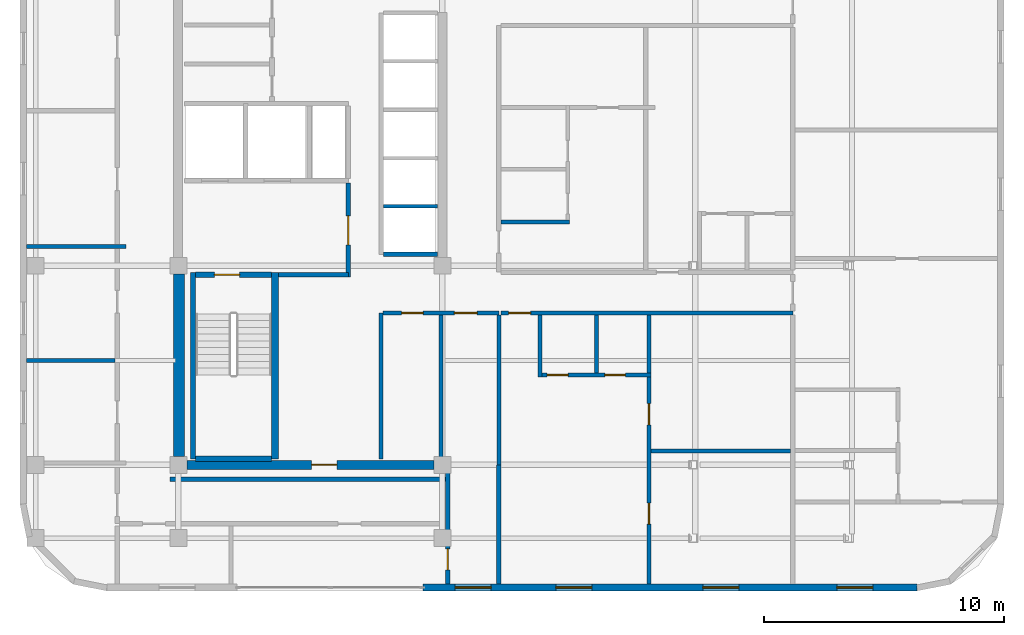
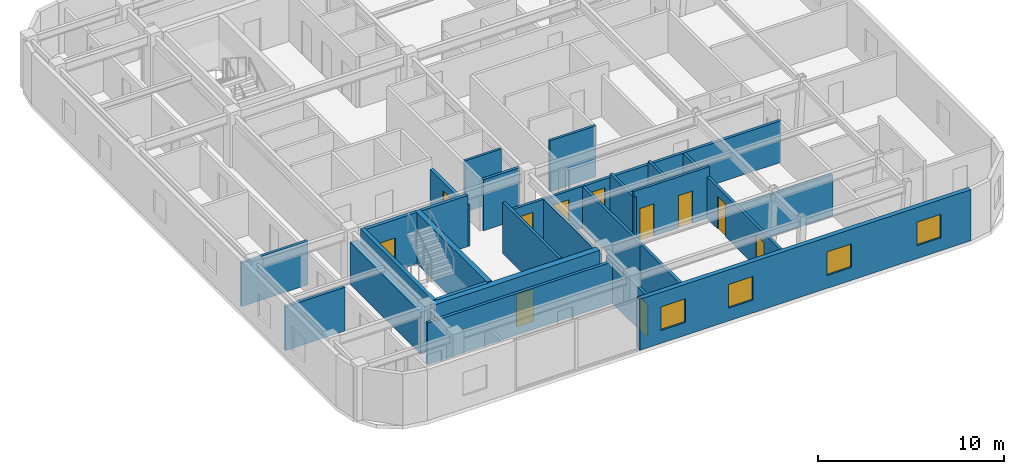
# One storey, part 4 of 9: 27 walls, 11 doors, 4 windows, 15 openings.
"""IFC4 building model written with IfcOpenShell, lengths in metres."""

from ifc_helpers import new_model, si_unit, direction, frame, frame_2d, origin, place, context, subcontext, project, spatial, rectangle, extrude, material, layer, layer_set, type_object, element, fill, save


model = new_model("IFC4")

# Units and contexts
model_context = context("Model", 3, precision=1e-05, world=origin(), true_north=direction((0.0, 1.0)))
body_context = subcontext(model_context, "Body", "Model", "MODEL_VIEW")
ifc_project = project(units=[si_unit("LENGTHUNIT", "METRE"), si_unit("AREAUNIT", "SQUARE_METRE"), si_unit("VOLUMEUNIT", "CUBIC_METRE"), si_unit("PLANEANGLEUNIT", "RADIAN"), si_unit("MASSUNIT", "GRAM", prefix="KILO")], contexts=[model_context])

# Site, building, storey
site_placement = place(None, origin())
site = spatial("IfcSite", under=ifc_project, at=site_placement, CompositionType="ELEMENT")
building_placement = place(site_placement, origin())
building = spatial("IfcBuilding", under=site, at=building_placement, Name="Ochreholt Gables", CompositionType="ELEMENT")
storey_placement = place(building_placement, frame((0.0, 0.0, 162.60009765625)))
storey = spatial("IfcBuildingStorey", under=building, at=storey_placement, Name="L42", CompositionType="ELEMENT", Elevation=162.60009765625)

# Wall, opening, door
ifc_material_1 = material(Name="Concrete 50 MPa", Category="concrete")
ifc_layer_1 = layer(ifc_material_1, 0.3798828125, Name="Concrete 50 MPa")
ifc_layer_set_1 = layer_set([ifc_layer_1], Name="Concrete 50 MPa")
wall_type_1 = type_object("IfcWallType", Name="WALL-CSW-380", PredefinedType="SHEAR", material=ifc_layer_set_1)
wall_1_placement = place(storey_placement, frame((24.550048828125, 9.25, 0.0), z_axis=(0.0, 0.0, 1.0), x_axis=(1.0, 0.0, 0.0)))
wall_1 = element("IfcWall", 1, at=wall_1_placement, inside=storey, type_object=wall_type_1, Name="L42 Core South Shear Wall", PredefinedType="SHEAR", context=body_context, shape_type="SweptSolid", body=[
    extrude(rectangle(XDim=10.300048828125, YDim=0.3798828125, at=frame_2d((5.14990234375, 0.0))), origin(), (0.0, 0.0, 1.0), 3.35986328125),
])
opening_1_placement = place(wall_1_placement, frame((5.199951171875, 0.0, 0.0)))
opening_1 = element("IfcOpeningElement", 2, at=opening_1_placement, cuts=wall_1, Name="Opening D-FLB", PredefinedType="OPENING", context=body_context, shape_type="SweptSolid", body=[
    extrude(rectangle(XDim=1.050048828125, YDim=2.14990234375, at=frame_2d((0.52490234375, 1.074951171875))), frame((0.0, 0.199951171875, 0.0), z_axis=(0.0, -1.0, 0.0), x_axis=(1.0, 0.0, 0.0)), (0.0, 0.0, 1.0), 0.39990234375),
])
ifc_material_2 = material(Name="Hollow Metal Steel", Category="steel")
door_type_1 = type_object("IfcDoorType", Name="DR-INT-FLB1050", OperationType="NOTDEFINED", PredefinedType="DOOR", material=ifc_material_2)
door_1_placement = place(opening_1_placement, origin())
door_1 = element("IfcDoor", 3, at=door_1_placement, inside=storey, type_object=door_type_1, Name="L42 Door D-C2CRS-L42", OperationType="SINGLE_SWING_LEFT", OverallHeight=2.14990234375, OverallWidth=1.050048828125, PredefinedType="DOOR", context=body_context, shape_type="SweptSolid", body=[
    extrude(rectangle(XDim=1.050048828125, YDim=2.14990234375, at=frame_2d((0.52490234375, 1.074951171875))), frame((0.0, 0.02490234375, 0.0), z_axis=(0.0, -1.0, 0.0), x_axis=(1.0, 0.0, 0.0)), (0.0, 0.0, 1.0), 0.050048828125),
])
fill(opening_1, door_1)

# Wall
ifc_material_3 = material(Name="Concrete 60 MPa", Category="concrete")
ifc_layer_2 = layer(ifc_material_3, 0.449951171875, Name="Concrete 60 MPa")
ifc_layer_set_2 = layer_set([ifc_layer_2], Name="Concrete 60 MPa")
wall_type_2 = type_object("IfcWallType", Name="WALL-CSW-450", PredefinedType="SHEAR", material=ifc_layer_set_2)
wall_2_placement = place(storey_placement, frame((24.22509765625, 9.60009765625, 0.0), z_axis=(0.0, 0.0, 1.0), x_axis=(0.0, 1.0, 0.0)))
element("IfcWall", 4, at=wall_2_placement, inside=storey, type_object=wall_type_2, Name="L42 Core West Shear Wall WS", PredefinedType="SHEAR", context=body_context, shape_type="SweptSolid", body=[
    extrude(rectangle(XDim=7.599853515625, YDim=0.449951171875, at=frame_2d((3.7998046875, 0.0))), origin(), (0.0, 0.0, 1.0), 2.747802734375),
])

# Wall, openings, windows
ifc_material_4 = material(Name="Precast concrete 40 MPa", Category="concrete")
ifc_layer_3 = layer(ifc_material_4, 0.280029296875, Name="Precast concrete 40 MPa")
ifc_layer_set_3 = layer_set([ifc_layer_3], Name="Precast concrete 40 MPa")
wall_type_3 = type_object("IfcWallType", Name="WALL-EXT-280", PredefinedType="SOLIDWALL", material=ifc_layer_set_3)
wall_3_placement = place(storey_placement, frame((34.39990234375, 4.139892578125, 0.0), z_axis=(0.0, 0.0, 1.0), x_axis=(1.0, 0.0, 0.0)))
wall_3 = element("IfcWall", 5, at=wall_3_placement, inside=storey, type_object=wall_type_3, Name="L42 South Facade Wall 2", PredefinedType="SOLIDWALL", context=body_context, shape_type="SweptSolid", body=[
    extrude(rectangle(XDim=20.580078125, YDim=0.280029296875, at=frame_2d((10.2900390625, 0.0))), origin(), (0.0, 0.0, 1.0), 3.35986328125),
])
opening_2_placement = place(wall_3_placement, frame((1.3349609375, 0.0, 0.85009765625)))
opening_2 = element("IfcOpeningElement", 6, at=opening_2_placement, cuts=wall_3, Name="Opening WN-2", PredefinedType="OPENING", context=body_context, shape_type="SweptSolid", body=[
    extrude(rectangle(XDim=1.5, YDim=1.550048828125, at=frame_2d((0.75, 0.77490234375))), frame((0.0, 0.14990234375, 0.0), z_axis=(0.0, -1.0, 0.0), x_axis=(1.0, 0.0, 0.0)), (0.0, 0.0, 1.0), 0.300048828125),
])
opening_3_placement = place(wall_3_placement, frame((5.530029296875, 0.0, 0.85009765625)))
opening_3 = element("IfcOpeningElement", 7, at=opening_3_placement, cuts=wall_3, Name="Opening WN-2", PredefinedType="OPENING", context=body_context, shape_type="SweptSolid", body=[
    extrude(rectangle(XDim=1.5, YDim=1.550048828125, at=frame_2d((0.75, 0.77490234375))), frame((0.0, 0.14990234375, 0.0), z_axis=(0.0, -1.0, 0.0), x_axis=(1.0, 0.0, 0.0)), (0.0, 0.0, 1.0), 0.300048828125),
])
opening_4_placement = place(wall_3_placement, frame((11.655029296875, 0.0, 0.85009765625)))
opening_4 = element("IfcOpeningElement", 8, at=opening_4_placement, cuts=wall_3, Name="Opening WN-2", PredefinedType="OPENING", context=body_context, shape_type="SweptSolid", body=[
    extrude(rectangle(XDim=1.5, YDim=1.550048828125, at=frame_2d((0.75, 0.77490234375))), frame((0.0, 0.14990234375, 0.0), z_axis=(0.0, -1.0, 0.0), x_axis=(1.0, 0.0, 0.0)), (0.0, 0.0, 1.0), 0.300048828125),
])
opening_5_placement = place(wall_3_placement, frame((17.239990234375, 0.0, 0.85009765625)))
opening_5 = element("IfcOpeningElement", 9, at=opening_5_placement, cuts=wall_3, Name="Opening WN-2", PredefinedType="OPENING", context=body_context, shape_type="SweptSolid", body=[
    extrude(rectangle(XDim=1.5, YDim=1.550048828125, at=frame_2d((0.75, 0.77490234375))), frame((0.0, 0.14990234375, 0.0), z_axis=(0.0, -1.0, 0.0), x_axis=(1.0, 0.0, 0.0)), (0.0, 0.0, 1.0), 0.300048828125),
])
ifc_material_5 = material(Name="Triple-Glazed Thermally Broken Aluminium Window", Category="aluminium")
window_type = type_object("IfcWindowType", Name="WIN-RES-1500", PartitioningType="SINGLE_PANEL", PredefinedType="WINDOW", material=ifc_material_5)
window_1_placement = place(opening_2_placement, origin())
window_1 = element("IfcWindow", 10, at=window_1_placement, inside=storey, type_object=window_type, Name="L42 Window W-EXT-S2-L42-1", OverallHeight=1.550048828125, OverallWidth=1.5, PartitioningType="SINGLE_PANEL", PredefinedType="WINDOW", context=body_context, shape_type="SweptSolid", body=[
    extrude(rectangle(XDim=1.5, YDim=1.550048828125, at=frame_2d((0.75, 0.77490234375))), frame((0.0, 0.030029296875, 0.0), z_axis=(0.0, -1.0, 0.0), x_axis=(1.0, 0.0, 0.0)), (0.0, 0.0, 1.0), 0.06005859375),
])
fill(opening_2, window_1)
window_2_placement = place(opening_3_placement, origin())
window_2 = element("IfcWindow", 11, at=window_2_placement, inside=storey, type_object=window_type, Name="L42 Window W-EXT-S2-L42-2", OverallHeight=1.550048828125, OverallWidth=1.5, PartitioningType="SINGLE_PANEL", PredefinedType="WINDOW", context=body_context, shape_type="SweptSolid", body=[
    extrude(rectangle(XDim=1.5, YDim=1.550048828125, at=frame_2d((0.75, 0.77490234375))), frame((0.0, 0.030029296875, 0.0), z_axis=(0.0, -1.0, 0.0), x_axis=(1.0, 0.0, 0.0)), (0.0, 0.0, 1.0), 0.06005859375),
])
fill(opening_3, window_2)
window_3_placement = place(opening_4_placement, origin())
window_3 = element("IfcWindow", 12, at=window_3_placement, inside=storey, type_object=window_type, Name="L42 Window W-EXT-S2-L42-3", OverallHeight=1.550048828125, OverallWidth=1.5, PartitioningType="SINGLE_PANEL", PredefinedType="WINDOW", context=body_context, shape_type="SweptSolid", body=[
    extrude(rectangle(XDim=1.5, YDim=1.550048828125, at=frame_2d((0.75, 0.77490234375))), frame((0.0, 0.030029296875, 0.0), z_axis=(0.0, -1.0, 0.0), x_axis=(1.0, 0.0, 0.0)), (0.0, 0.0, 1.0), 0.06005859375),
])
fill(opening_4, window_3)
window_4_placement = place(opening_5_placement, origin())
window_4 = element("IfcWindow", 13, at=window_4_placement, inside=storey, type_object=window_type, Name="L42 Window W-EXT-S2-L42-4", OverallHeight=1.550048828125, OverallWidth=1.5, PartitioningType="SINGLE_PANEL", PredefinedType="WINDOW", context=body_context, shape_type="SweptSolid", body=[
    extrude(rectangle(XDim=1.5, YDim=1.550048828125, at=frame_2d((0.75, 0.77490234375))), frame((0.0, 0.030029296875, 0.0), z_axis=(0.0, -1.0, 0.0), x_axis=(1.0, 0.0, 0.0)), (0.0, 0.0, 1.0), 0.06005859375),
])
fill(opening_5, window_4)

# Wall
ifc_material_6 = material(Name="Concrete 40 MPa", Category="concrete")
ifc_layer_4 = layer(ifc_material_6, 0.199951171875, Name="Concrete 40 MPa")
ifc_layer_set_4 = layer_set([ifc_layer_4], Name="Concrete 40 MPa")
wall_type_4 = type_object("IfcWallType", Name="WALL-INT-CF200", PredefinedType="STANDARD", material=ifc_layer_set_4)
wall_4_placement = place(storey_placement, frame((28.3798828125, 17.169921875, 0.0), z_axis=(0.0, 0.0, 1.0), x_axis=(1.0, 0.0, 0.0)))
element("IfcWall", 14, at=wall_4_placement, inside=storey, type_object=wall_type_4, Name="L42 Interior Wall WI-FFS-L42", PredefinedType="STANDARD", context=body_context, shape_type="SweptSolid", body=[
    extrude(rectangle(XDim=2.900146484375, YDim=0.199951171875, at=frame_2d((1.4501953125, 0.0))), origin(), (0.0, 0.0, 1.0), 3.35986328125),
])

# Wall, opening, door
wall_5_placement = place(storey_placement, frame((31.280029296875, 17.070068359375, 0.0), z_axis=(0.0, 0.0, 1.0), x_axis=(0.0, 1.0, 0.0)))
wall_5 = element("IfcWall", 15, at=wall_5_placement, inside=storey, type_object=wall_type_4, Name="L42 Interior Wall WI-FFE-L42", PredefinedType="STANDARD", context=body_context, shape_type="SweptSolid", body=[
    extrude(rectangle(XDim=3.919921875, YDim=0.199951171875, at=frame_2d((1.9599609375, 0.0))), origin(), (0.0, 0.0, 1.0), 2.72998046875),
])
opening_6_placement = place(wall_5_placement, frame((1.35009765625, 0.0, 0.0)))
opening_6 = element("IfcOpeningElement", 16, at=opening_6_placement, cuts=wall_5, Name="Opening D-FFL", PredefinedType="OPENING", context=body_context, shape_type="SweptSolid", body=[
    extrude(rectangle(XDim=1.199951171875, YDim=2.14990234375, at=frame_2d((0.60009765625, 1.074951171875))), frame((0.0, 0.10986328125, 0.0), z_axis=(0.0, -1.0, 0.0), x_axis=(1.0, 0.0, 0.0)), (0.0, 0.0, 1.0), 0.219970703125),
])
door_type_2 = type_object("IfcDoorType", Name="DR-INT-FFL1200", OperationType="NOTDEFINED", PredefinedType="DOOR", material=ifc_material_2)
door_2_placement = place(opening_6_placement, origin())
door_2 = element("IfcDoor", 17, at=door_2_placement, inside=storey, type_object=door_type_2, Name="L42 Door D-FFL-L42", OperationType="SINGLE_SWING_LEFT", OverallHeight=2.14990234375, OverallWidth=1.199951171875, PredefinedType="DOOR", context=body_context, shape_type="SweptSolid", body=[
    extrude(rectangle(XDim=1.199951171875, YDim=2.14990234375, at=frame_2d((0.60009765625, 1.074951171875))), frame((0.0, 0.02490234375, 0.0), z_axis=(0.0, -1.0, 0.0), x_axis=(1.0, 0.0, 0.0)), (0.0, 0.0, 1.0), 0.050048828125),
])
fill(opening_6, door_2)

ifc_material_7 = material(Name="Fire-Rated Gypsum Acoustic Partition", Category="gypsum")
ifc_layer_5 = layer(ifc_material_7, 0.179931640625, Name="Fire-Rated Gypsum Acoustic Partition")
ifc_layer_set_5 = layer_set([ifc_layer_5], Name="Fire-Rated Gypsum Acoustic Partition")
wall_type_5 = type_object("IfcWallType", Name="WALL-INT-CR180", PredefinedType="STANDARD", material=ifc_layer_set_5)
wall_6_placement = place(storey_placement, frame((37.632568359375, 15.580078125, 0.0), z_axis=(0.0, 0.0, 1.0), x_axis=(1.0, 0.0, 0.0)))
wall_6 = element("IfcWall", 18, at=wall_6_placement, inside=storey, type_object=wall_type_5, Name="L42 Interior Wall WI-C2SS1-L42", PredefinedType="STANDARD", context=body_context, shape_type="SweptSolid", body=[
    extrude(rectangle(XDim=12.16748046875, YDim=0.179931640625, at=frame_2d((6.083740234375, 0.0))), origin(), (0.0, 0.0, 1.0), 2.72998046875),
])
opening_7_placement = place(wall_6_placement, frame((0.327392578125, 0.0, 0.0)))
opening_7 = element("IfcOpeningElement", 19, at=opening_7_placement, cuts=wall_6, Name="Opening D-UN1", PredefinedType="OPENING", context=body_context, shape_type="SweptSolid", body=[
    extrude(rectangle(XDim=0.919921875, YDim=2.14990234375, at=frame_2d((0.4599609375, 1.074951171875))), frame((0.0, 0.099853515625, 0.0), z_axis=(0.0, -1.0, 0.0), x_axis=(1.0, 0.0, 0.0)), (0.0, 0.0, 1.0), 0.199951171875),
])
ifc_material_8 = material(Name="Engineered Oak Timber", Category="wood")
door_type_3 = type_object("IfcDoorType", Name="DR-INT-UNT920", OperationType="NOTDEFINED", PredefinedType="DOOR", material=ifc_material_8)
door_3_placement = place(opening_7_placement, origin())
door_3 = element("IfcDoor", 20, at=door_3_placement, inside=storey, type_object=door_type_3, Name="L42 Door D-U-L42S1-ENT", OperationType="SINGLE_SWING_RIGHT", OverallHeight=2.14990234375, OverallWidth=0.919921875, PredefinedType="DOOR", context=body_context, shape_type="SweptSolid", body=[
    extrude(rectangle(XDim=0.919921875, YDim=2.14990234375, at=frame_2d((0.4599609375, 1.074951171875))), frame((0.0, 0.02490234375, 0.0), z_axis=(0.0, -1.0, 0.0), x_axis=(1.0, 0.0, 0.0)), (0.0, 0.0, 1.0), 0.050048828125),
])
fill(opening_7, door_3)

# Wall
wall_7_placement = place(storey_placement, frame((23.85009765625, 8.64990234375, 0.0), z_axis=(0.0, 0.0, 1.0), x_axis=(1.0, 0.0, 0.0)))
element("IfcWall", 21, at=wall_7_placement, inside=storey, type_object=wall_type_5, Name="L42 Interior Wall WI-C2WCS2-L42", PredefinedType="STANDARD", context=body_context, shape_type="SweptSolid", body=[
    extrude(rectangle(XDim=11.56982421875, YDim=0.179931640625, at=frame_2d((5.784912109375, 0.0))), origin(), (0.0, 0.0, 1.0), 2.72998046875),
])

# Wall, opening, door
ifc_material_9 = material(Name="Double-Stud Acoustic Demising Wall", Category="gypsum")
ifc_layer_6 = layer(ifc_material_9, 0.179931640625, Name="Double-Stud Acoustic Demising Wall")
ifc_layer_set_6 = layer_set([ifc_layer_6], Name="Double-Stud Acoustic Demising Wall")
wall_type_6 = type_object("IfcWallType", Name="WALL-INT-DM180", PredefinedType="PARTITIONING", material=ifc_layer_set_6)
wall_8_placement = place(storey_placement, frame((35.419921875, 4.280029296875, 0.0), z_axis=(0.0, 0.0, 1.0), x_axis=(0.0, 1.0, 0.0)))
wall_8 = element("IfcWall", 22, at=wall_8_placement, inside=storey, type_object=wall_type_6, Name="L42 Interior Wall WI-C2SES-L42", PredefinedType="PARTITIONING", context=body_context, shape_type="SweptSolid", body=[
    extrude(rectangle(XDim=4.969970703125, YDim=0.179931640625, at=frame_2d((2.48486328125, 0.0))), origin(), (0.0, 0.0, 1.0), 2.72998046875),
])
opening_8_placement = place(wall_8_placement, frame((0.590087890625, 0.0, 0.0)))
opening_8 = element("IfcOpeningElement", 23, at=opening_8_placement, cuts=wall_8, Name="Opening D-GN2", PredefinedType="OPENING", context=body_context, shape_type="SweptSolid", body=[
    extrude(rectangle(XDim=0.8798828125, YDim=2.1201171875, at=frame_2d((0.43994140625, 1.06005859375))), frame((0.0, 0.099853515625, 0.0), z_axis=(0.0, -1.0, 0.0), x_axis=(1.0, 0.0, 0.0)), (0.0, 0.0, 1.0), 0.199951171875),
])
door_type_4 = type_object("IfcDoorType", Name="DR-INT-GEN880", OperationType="NOTDEFINED", PredefinedType="DOOR", material=ifc_material_8)
door_4_placement = place(opening_8_placement, origin())
door_4 = element("IfcDoor", 24, at=door_4_placement, inside=storey, type_object=door_type_4, Name="L42 Door D-C2SPS-L42", OperationType="SINGLE_SWING_LEFT", OverallHeight=2.1201171875, OverallWidth=0.8798828125, PredefinedType="DOOR", context=body_context, shape_type="SweptSolid", body=[
    extrude(rectangle(XDim=0.8798828125, YDim=2.1201171875, at=frame_2d((0.43994140625, 1.06005859375))), frame((0.0, 0.02490234375, 0.0), z_axis=(0.0, -1.0, 0.0), x_axis=(1.0, 0.0, 0.0)), (0.0, 0.0, 1.0), 0.050048828125),
])
fill(opening_8, door_4)

# Walls
wall_9_placement = place(storey_placement, frame((37.550048828125, 4.280029296875, 0.0), z_axis=(0.0, 0.0, 1.0), x_axis=(0.0, 1.0, 0.0)))
element("IfcWall", 25, at=wall_9_placement, inside=storey, type_object=wall_type_6, Name="L42 Interior Wall WI-C2SEW2-L42", PredefinedType="PARTITIONING", context=body_context, shape_type="SweptSolid", body=[
    extrude(rectangle(XDim=4.969970703125, YDim=0.179931640625, at=frame_2d((2.48486328125, 0.0))), origin(), (0.0, 0.0, 1.0), 2.72998046875),
])
wall_10_placement = place(storey_placement, frame((17.8798828125, 13.60009765625, 0.0), z_axis=(0.0, 0.0, 1.0), x_axis=(1.0, 0.0, 0.0)))
element("IfcWall", 26, at=wall_10_placement, inside=storey, type_object=wall_type_6, Name="L42 Interior Wall WI-C2UDW2-L42", PredefinedType="PARTITIONING", context=body_context, shape_type="SweptSolid", body=[
    extrude(rectangle(XDim=3.68017578125, YDim=0.179931640625, at=frame_2d((1.840087890625, 0.0))), origin(), (0.0, 0.0, 1.0), 2.87890625),
])

# Wall, openings, doors
ifc_material_10 = material(Name="Moisture-Resistant Plumbing Chase Wall", Category="gypsum")
ifc_layer_7 = layer(ifc_material_10, 0.159912109375, Name="Moisture-Resistant Plumbing Chase Wall")
ifc_layer_set_7 = layer_set([ifc_layer_7], Name="Moisture-Resistant Plumbing Chase Wall")
wall_type_7 = type_object("IfcWallType", Name="WALL-INT-PL160", PredefinedType="PLUMBINGWALL", material=ifc_layer_set_7)
wall_11_placement = place(storey_placement, frame((39.179931640625, 12.992431640625, 0.0), z_axis=(0.0, 0.0, 1.0), x_axis=(1.0, 0.0, 0.0)))
wall_11 = element("IfcWall", 27, at=wall_11_placement, inside=storey, type_object=wall_type_7, Name="L42 Interior Wall WU-L42S1-WY", PredefinedType="PLUMBINGWALL", context=body_context, shape_type="SweptSolid", body=[
    extrude(rectangle(XDim=4.7099609375, YDim=0.159912109375, at=frame_2d((2.35498046875, 0.0))), origin(), (0.0, 0.0, 1.0), 3.35986328125),
])
opening_9_placement = place(wall_11_placement, frame((0.3798828125, 0.0, 0.0)))
opening_9 = element("IfcOpeningElement", 28, at=opening_9_placement, cuts=wall_11, Name="Opening D-GN2", PredefinedType="OPENING", context=body_context, shape_type="SweptSolid", body=[
    extrude(rectangle(XDim=0.8798828125, YDim=2.1201171875, at=frame_2d((0.43994140625, 1.06005859375))), frame((0.0, 0.08984375, 0.0), z_axis=(0.0, -1.0, 0.0), x_axis=(1.0, 0.0, 0.0)), (0.0, 0.0, 1.0), 0.179931640625),
])
opening_10_placement = place(wall_11_placement, frame((2.785888671875, 0.0, 0.0)))
opening_10 = element("IfcOpeningElement", 29, at=opening_10_placement, cuts=wall_11, Name="Opening D-BT1", PredefinedType="OPENING", context=body_context, shape_type="SweptSolid", body=[
    extrude(rectangle(XDim=0.860107421875, YDim=2.1201171875, at=frame_2d((0.43017578125, 1.06005859375))), frame((0.0, 0.08984375, 0.0), z_axis=(0.0, -1.0, 0.0), x_axis=(1.0, 0.0, 0.0)), (0.0, 0.0, 1.0), 0.179931640625),
])
door_type_5 = type_object("IfcDoorType", Name="DR-INT-BTH860", OperationType="NOTDEFINED", PredefinedType="DOOR", material=ifc_material_8)
door_5_placement = place(opening_10_placement, origin())
door_5 = element("IfcDoor", 30, at=door_5_placement, inside=storey, type_object=door_type_5, Name="L42 Door D-U-L42S1-BTH", OperationType="SINGLE_SWING_RIGHT", OverallHeight=2.1201171875, OverallWidth=0.860107421875, PredefinedType="DOOR", context=body_context, shape_type="SweptSolid", body=[
    extrude(rectangle(XDim=0.860107421875, YDim=2.1201171875, at=frame_2d((0.43017578125, 1.06005859375))), frame((0.0, 0.02490234375, 0.0), z_axis=(0.0, -1.0, 0.0), x_axis=(1.0, 0.0, 0.0)), (0.0, 0.0, 1.0), 0.050048828125),
])
fill(opening_10, door_5)
door_6_placement = place(opening_9_placement, origin())
door_6 = element("IfcDoor", 31, at=door_6_placement, inside=storey, type_object=door_type_4, Name="L42 Door D-U-L42S1-KIT", OperationType="SINGLE_SWING_LEFT", OverallHeight=2.1201171875, OverallWidth=0.8798828125, PredefinedType="DOOR", context=body_context, shape_type="SweptSolid", body=[
    extrude(rectangle(XDim=0.8798828125, YDim=2.1201171875, at=frame_2d((0.43994140625, 1.06005859375))), frame((0.0, 0.02490234375, 0.0), z_axis=(0.0, -1.0, 0.0), x_axis=(1.0, 0.0, 0.0)), (0.0, 0.0, 1.0), 0.050048828125),
])
fill(opening_9, door_6)

# Walls
wall_12_placement = place(storey_placement, frame((39.260009765625, 12.91259765625, 0.0), z_axis=(0.0, 0.0, 1.0), x_axis=(0.0, 1.0, 0.0)))
element("IfcWall", 32, at=wall_12_placement, inside=storey, type_object=wall_type_7, Name="L42 Interior Wall WU-L42S1-FY", PredefinedType="PLUMBINGWALL", context=body_context, shape_type="SweptSolid", body=[
    extrude(rectangle(XDim=2.577392578125, YDim=0.159912109375, at=frame_2d((1.28857421875, 0.0))), origin(), (0.0, 0.0, 1.0), 2.98388671875),
])
wall_13_placement = place(storey_placement, frame((41.6259765625, 13.072509765625, 0.0), z_axis=(0.0, 0.0, 1.0), x_axis=(0.0, 1.0, 0.0)))
element("IfcWall", 33, at=wall_13_placement, inside=storey, type_object=wall_type_7, Name="L42 Interior Wall WU-L42S1-WK", PredefinedType="PLUMBINGWALL", context=body_context, shape_type="SweptSolid", body=[
    extrude(rectangle(XDim=2.41748046875, YDim=0.159912109375, at=frame_2d((1.208740234375, 0.0))), origin(), (0.0, 0.0, 1.0), 2.98388671875),
])
wall_14_placement = place(storey_placement, frame((37.639892578125, 19.373046875, 0.0), z_axis=(0.0, 0.0, 1.0), x_axis=(1.0, 0.0, 0.0)))
element("IfcWall", 34, at=wall_14_placement, inside=storey, type_object=wall_type_7, Name="L42 Interior Wall WU-L42M1-FYS", PredefinedType="PLUMBINGWALL", context=body_context, shape_type="SweptSolid", body=[
    extrude(rectangle(XDim=2.864013671875, YDim=0.159912109375, at=frame_2d((1.43212890625, 0.0))), origin(), (0.0, 0.0, 1.0), 3.35986328125),
])
ifc_material_11 = material(Name="Gypsum Acoustic Stud Partition", Category="gypsum")
ifc_layer_8 = layer(ifc_material_11, 0.1650390625, Name="Gypsum Acoustic Stud Partition")
ifc_layer_set_8 = layer_set([ifc_layer_8], Name="Gypsum Acoustic Stud Partition")
wall_type_8 = type_object("IfcWallType", Name="WALL-INT-PT165", PredefinedType="PARTITIONING", material=ifc_layer_set_8)
wall_15_placement = place(storey_placement, frame((32.64990234375, 9.5, 0.0), z_axis=(0.0, 0.0, 1.0), x_axis=(0.0, 1.0, 0.0)))
element("IfcWall", 35, at=wall_15_placement, inside=storey, type_object=wall_type_8, Name="L42 Interior Wall WI-RCL-W-L42", PredefinedType="PARTITIONING", context=body_context, shape_type="SweptSolid", body=[
    extrude(rectangle(XDim=6.080078125, YDim=0.1650390625, at=frame_2d((3.0400390625, 0.0))), origin(), (0.0, 0.0, 1.0), 3.35986328125),
])

# Wall, openings, doors
wall_16_placement = place(storey_placement, frame((32.732421875, 15.580078125, 0.0), z_axis=(0.0, 0.0, 1.0), x_axis=(1.0, 0.0, 0.0)))
wall_16 = element("IfcWall", 36, at=wall_16_placement, inside=storey, type_object=wall_type_8, Name="L42 Interior Wall WI-RCL-N-L42", PredefinedType="PARTITIONING", context=body_context, shape_type="SweptSolid", body=[
    extrude(rectangle(XDim=4.817626953125, YDim=0.1650390625, at=frame_2d((2.40869140625, 0.0))), origin(), (0.0, 0.0, 1.0), 2.72998046875),
])
opening_11_placement = place(wall_16_placement, frame((0.767578125, 0.0, 0.0)))
opening_11 = element("IfcOpeningElement", 37, at=opening_11_placement, cuts=wall_16, Name="Opening D-SV1", PredefinedType="OPENING", context=body_context, shape_type="SweptSolid", body=[
    extrude(rectangle(XDim=0.89990234375, YDim=2.10009765625, at=frame_2d((0.449951171875, 1.050048828125))), frame((0.0, 0.092529296875, 0.0), z_axis=(0.0, -1.0, 0.0), x_axis=(1.0, 0.0, 0.0)), (0.0, 0.0, 1.0), 0.18505859375),
])
opening_12_placement = place(wall_16_placement, frame((2.967529296875, 0.0, 0.0)))
opening_12 = element("IfcOpeningElement", 38, at=opening_12_placement, cuts=wall_16, Name="Opening D-GN1", PredefinedType="OPENING", context=body_context, shape_type="SweptSolid", body=[
    extrude(rectangle(XDim=0.949951171875, YDim=2.14990234375, at=frame_2d((0.47509765625, 1.074951171875))), frame((0.0, 0.092529296875, 0.0), z_axis=(0.0, -1.0, 0.0), x_axis=(1.0, 0.0, 0.0)), (0.0, 0.0, 1.0), 0.18505859375),
])
door_type_6 = type_object("IfcDoorType", Name="DR-INT-GEN950", OperationType="NOTDEFINED", PredefinedType="DOOR", material=ifc_material_8)
door_7_placement = place(opening_12_placement, origin())
door_7 = element("IfcDoor", 39, at=door_7_placement, inside=storey, type_object=door_type_6, Name="L42 Door D-RCL2-L42", OperationType="SINGLE_SWING_RIGHT", OverallHeight=2.14990234375, OverallWidth=0.949951171875, PredefinedType="DOOR", context=body_context, shape_type="SweptSolid", body=[
    extrude(rectangle(XDim=0.949951171875, YDim=2.14990234375, at=frame_2d((0.47509765625, 1.074951171875))), frame((0.0, 0.02490234375, 0.0), z_axis=(0.0, -1.0, 0.0), x_axis=(1.0, 0.0, 0.0)), (0.0, 0.0, 1.0), 0.050048828125),
])
fill(opening_12, door_7)
door_type_7 = type_object("IfcDoorType", Name="DR-INT-SRV900", OperationType="NOTDEFINED", PredefinedType="DOOR", material=ifc_material_2)
door_8_placement = place(opening_11_placement, origin())
door_8 = element("IfcDoor", 40, at=door_8_placement, inside=storey, type_object=door_type_7, Name="L42 Door D-RCL1-L42", OperationType="SINGLE_SWING_LEFT", OverallHeight=2.10009765625, OverallWidth=0.89990234375, PredefinedType="DOOR", context=body_context, shape_type="SweptSolid", body=[
    extrude(rectangle(XDim=0.89990234375, YDim=2.10009765625, at=frame_2d((0.449951171875, 1.050048828125))), frame((0.0, 0.02490234375, 0.0), z_axis=(0.0, -1.0, 0.0), x_axis=(1.0, 0.0, 0.0)), (0.0, 0.0, 1.0), 0.050048828125),
])
fill(opening_11, door_8)

# Walls
wall_17_placement = place(storey_placement, frame((37.550048828125, 9.25, 0.0), z_axis=(0.0, 0.0, 1.0), x_axis=(0.0, 1.0, 0.0)))
element("IfcWall", 41, at=wall_17_placement, inside=storey, type_object=wall_type_8, Name="L42 Interior Wall WI-RCL-E-L42", PredefinedType="PARTITIONING", context=body_context, shape_type="SweptSolid", body=[
    extrude(rectangle(XDim=6.24755859375, YDim=0.1650390625, at=frame_2d((3.123779296875, 0.0))), origin(), (0.0, 0.0, 1.0), 2.72998046875),
])
wall_18_placement = place(storey_placement, frame((35.14990234375, 9.5, 0.0), z_axis=(0.0, 0.0, 1.0), x_axis=(0.0, 1.0, 0.0)))
element("IfcWall", 42, at=wall_18_placement, inside=storey, type_object=wall_type_8, Name="L42 Interior Wall WI-RCL-DV-L42", PredefinedType="PARTITIONING", context=body_context, shape_type="SweptSolid", body=[
    extrude(rectangle(XDim=5.99755859375, YDim=0.1650390625, at=frame_2d((2.998779296875, 0.0))), origin(), (0.0, 0.0, 1.0), 2.72998046875),
])

# Wall, openings, doors
wall_19_placement = place(storey_placement, frame((43.81005859375, 4.280029296875, 0.0), z_axis=(0.0, 0.0, 1.0), x_axis=(0.0, 1.0, 0.0)))
wall_19 = element("IfcWall", 43, at=wall_19_placement, inside=storey, type_object=wall_type_8, Name="L42 Interior Wall WU-L42S1-MNX", PredefinedType="PARTITIONING", context=body_context, shape_type="SweptSolid", body=[
    extrude(rectangle(XDim=11.2099609375, YDim=0.1650390625, at=frame_2d((5.60498046875, 0.0))), origin(), (0.0, 0.0, 1.0), 2.72998046875),
])
opening_13_placement = place(wall_19_placement, frame((2.5, 0.0, 0.0)))
opening_13 = element("IfcOpeningElement", 44, at=opening_13_placement, cuts=wall_19, Name="Opening D-BD2", PredefinedType="OPENING", context=body_context, shape_type="SweptSolid", body=[
    extrude(rectangle(XDim=0.8798828125, YDim=2.139892578125, at=frame_2d((0.43994140625, 1.06982421875))), frame((0.0, 0.092529296875, 0.0), z_axis=(0.0, -1.0, 0.0), x_axis=(1.0, 0.0, 0.0)), (0.0, 0.0, 1.0), 0.18505859375),
])
opening_14_placement = place(wall_19_placement, frame((6.641357421875, 0.0, 0.0)))
opening_14 = element("IfcOpeningElement", 45, at=opening_14_placement, cuts=wall_19, Name="Opening D-BD2", PredefinedType="OPENING", context=body_context, shape_type="SweptSolid", body=[
    extrude(rectangle(XDim=0.8798828125, YDim=2.139892578125, at=frame_2d((0.43994140625, 1.06982421875))), frame((0.0, 0.092529296875, 0.0), z_axis=(0.0, -1.0, 0.0), x_axis=(1.0, 0.0, 0.0)), (0.0, 0.0, 1.0), 0.18505859375),
])
door_type_8 = type_object("IfcDoorType", Name="DR-INT-BED880", OperationType="NOTDEFINED", PredefinedType="DOOR", material=ifc_material_8)
door_9_placement = place(opening_13_placement, origin())
door_9 = element("IfcDoor", 46, at=door_9_placement, inside=storey, type_object=door_type_8, Name="L42 Door D-U-L42S1-BD1", OperationType="SINGLE_SWING_RIGHT", OverallHeight=2.139892578125, OverallWidth=0.8798828125, PredefinedType="DOOR", context=body_context, shape_type="SweptSolid", body=[
    extrude(rectangle(XDim=0.8798828125, YDim=2.139892578125, at=frame_2d((0.43994140625, 1.06982421875))), frame((0.0, 0.02490234375, 0.0), z_axis=(0.0, -1.0, 0.0), x_axis=(1.0, 0.0, 0.0)), (0.0, 0.0, 1.0), 0.050048828125),
])
fill(opening_13, door_9)
door_10_placement = place(opening_14_placement, origin())
door_10 = element("IfcDoor", 47, at=door_10_placement, inside=storey, type_object=door_type_8, Name="L42 Door D-U-L42S1-BD2", OperationType="SINGLE_SWING_LEFT", OverallHeight=2.139892578125, OverallWidth=0.8798828125, PredefinedType="DOOR", context=body_context, shape_type="SweptSolid", body=[
    extrude(rectangle(XDim=0.8798828125, YDim=2.139892578125, at=frame_2d((0.43994140625, 1.06982421875))), frame((0.0, 0.02490234375, 0.0), z_axis=(0.0, -1.0, 0.0), x_axis=(1.0, 0.0, 0.0)), (0.0, 0.0, 1.0), 0.050048828125),
])
fill(opening_14, door_10)

# Walls
wall_20_placement = place(storey_placement, frame((43.889892578125, 9.820068359375, 0.0), z_axis=(0.0, 0.0, 1.0), x_axis=(1.0, 0.0, 0.0)))
element("IfcWall", 48, at=wall_20_placement, inside=storey, type_object=wall_type_8, Name="L42 Interior Wall WU-L42S1-RDV", PredefinedType="PARTITIONING", context=body_context, shape_type="SweptSolid", body=[
    extrude(rectangle(XDim=5.820068359375, YDim=0.1650390625, at=frame_2d((2.91015625, 0.0))), origin(), (0.0, 0.0, 1.0), 2.72998046875),
])
wall_21_placement = place(storey_placement, frame((17.8798828125, 18.35009765625, 0.0), z_axis=(0.0, 0.0, 1.0), x_axis=(1.0, 0.0, 0.0)))
element("IfcWall", 49, at=wall_21_placement, inside=storey, type_object=wall_type_8, Name="L42 Interior Wall WU-L42W2-SDV", PredefinedType="PARTITIONING", context=body_context, shape_type="SweptSolid", body=[
    extrude(rectangle(XDim=4.130126953125, YDim=0.1650390625, at=frame_2d((2.06494140625, 0.0))), origin(), (0.0, 0.0, 1.0), 2.87890625),
])
ifc_material_12 = material(Name="Gypsum Shaftliner and Steel Stud", Category="steel")
ifc_layer_9 = layer(ifc_material_12, 0.14990234375, Name="Gypsum Shaftliner and Steel Stud")
ifc_layer_set_9 = layer_set([ifc_layer_9], Name="Gypsum Shaftliner and Steel Stud")
wall_type_9 = type_object("IfcWallType", Name="WALL-INT-SH150", PredefinedType="STANDARD", material=ifc_layer_set_9)
wall_22_placement = place(storey_placement, frame((32.739990234375, 20.02001953125, 0.0), z_axis=(0.0, 0.0, 1.0), x_axis=(1.0, 0.0, 0.0)))
element("IfcWall", 50, at=wall_22_placement, inside=storey, type_object=wall_type_9, Name="L42 Interior Wall WI-LFHE-DH1-L42", PredefinedType="STANDARD", context=body_context, shape_type="SweptSolid", body=[
    extrude(rectangle(XDim=2.260009765625, YDim=0.14990234375, at=frame_2d((1.1298828125, 0.0))), origin(), (0.0, 0.0, 1.0), 3.35986328125),
])
ifc_layer_10 = layer(ifc_material_12, 0.179931640625, Name="Gypsum Shaftliner and Steel Stud")
ifc_layer_set_10 = layer_set([ifc_layer_10], Name="Gypsum Shaftliner and Steel Stud")
wall_type_10 = type_object("IfcWallType", Name="WALL-INT-SH180", PredefinedType="STANDARD", material=ifc_layer_set_10)
wall_23_placement = place(storey_placement, frame((32.739990234375, 18.02001953125, 0.0), z_axis=(0.0, 0.0, 1.0), x_axis=(1.0, 0.0, 0.0)))
element("IfcWall", 51, at=wall_23_placement, inside=storey, type_object=wall_type_10, Name="L42 Interior Wall WI-LFHE-S-L42", PredefinedType="STANDARD", context=body_context, shape_type="SweptSolid", body=[
    extrude(rectangle(XDim=2.260009765625, YDim=0.179931640625, at=frame_2d((1.1298828125, 0.0))), origin(), (0.0, 0.0, 1.0), 3.35986328125),
])
ifc_layer_11 = layer(ifc_material_3, 0.300048828125, Name="Concrete 60 MPa")
ifc_layer_set_11 = layer_set([ifc_layer_11], Name="Concrete 60 MPa")
wall_type_11 = type_object("IfcWallType", Name="WALL-SPN-300", PredefinedType="SHEAR", material=ifc_layer_set_11)
wall_24_placement = place(storey_placement, frame((28.22998046875, 9.5, 0.0), z_axis=(0.0, 0.0, 1.0), x_axis=(0.0, 1.0, 0.0)))
element("IfcWall", 52, at=wall_24_placement, inside=storey, type_object=wall_type_11, Name="L42 Core South Spine Shear Wall", PredefinedType="SHEAR", context=body_context, shape_type="SweptSolid", body=[
    extrude(rectangle(XDim=7.760009765625, YDim=0.300048828125, at=frame_2d((3.8798828125, 0.0))), origin(), (0.0, 0.0, 1.0), 3.35986328125),
])
ifc_layer_12 = layer(ifc_material_1, 0.219970703125, Name="Concrete 50 MPa")
ifc_layer_set_12 = layer_set([ifc_layer_12], Name="Concrete 50 MPa")
wall_type_12 = type_object("IfcWallType", Name="WALL-STW-220", PredefinedType="SHEAR", material=ifc_layer_set_12)
wall_25_placement = place(storey_placement, frame((24.81005859375, 9.5, 0.0), z_axis=(0.0, 0.0, 1.0), x_axis=(0.0, 1.0, 0.0)))
element("IfcWall", 53, at=wall_25_placement, inside=storey, type_object=wall_type_12, Name="L42 Exit Stair 1 West Wall", PredefinedType="SHEAR", context=body_context, shape_type="SweptSolid", body=[
    extrude(rectangle(XDim=7.760009765625, YDim=0.219970703125, at=frame_2d((3.8798828125, 0.0))), origin(), (0.0, 0.0, 1.0), 3.35986328125),
])
wall_26_placement = place(storey_placement, frame((24.919921875, 9.510009765625, 0.0), z_axis=(0.0, 0.0, 1.0), x_axis=(1.0, 0.0, 0.0)))
element("IfcWall", 54, at=wall_26_placement, inside=storey, type_object=wall_type_12, Name="L42 Exit Stair 1 South Wall", PredefinedType="SHEAR", context=body_context, shape_type="SweptSolid", body=[
    extrude(rectangle(XDim=3.16015625, YDim=0.219970703125, at=frame_2d((1.580078125, 0.0))), origin(), (0.0, 0.0, 1.0), 3.35986328125),
])

# Wall, opening, door
wall_27_placement = place(storey_placement, frame((24.919921875, 17.169921875, 0.0), z_axis=(0.0, 0.0, 1.0), x_axis=(1.0, 0.0, 0.0)))
wall_27 = element("IfcWall", 55, at=wall_27_placement, inside=storey, type_object=wall_type_12, Name="L42 Exit Stair 1 North Wall", PredefinedType="SHEAR", context=body_context, shape_type="SweptSolid", body=[
    extrude(rectangle(XDim=3.16015625, YDim=0.219970703125, at=frame_2d((1.580078125, 0.0))), origin(), (0.0, 0.0, 1.0), 3.35986328125),
])
opening_15_placement = place(wall_27_placement, frame((0.780029296875, 0.0, 0.0)))
opening_15 = element("IfcOpeningElement", 56, at=opening_15_placement, cuts=wall_27, Name="Opening D-STC", PredefinedType="OPENING", context=body_context, shape_type="SweptSolid", body=[
    extrude(rectangle(XDim=1.050048828125, YDim=2.14990234375, at=frame_2d((0.52490234375, 1.074951171875))), frame((0.0, 0.119873046875, 0.0), z_axis=(0.0, -1.0, 0.0), x_axis=(1.0, 0.0, 0.0)), (0.0, 0.0, 1.0), 0.239990234375),
])
door_type_9 = type_object("IfcDoorType", Name="DR-INT-ST1050", OperationType="NOTDEFINED", PredefinedType="DOOR", material=ifc_material_2)
door_11_placement = place(opening_15_placement, frame((1.050048828125, 0.0, 0.0), z_axis=(0.0, 0.0, 1.0), x_axis=(-1.0, 0.0, 0.0)))
door_11 = element("IfcDoor", 57, at=door_11_placement, inside=storey, type_object=door_type_9, Name="L42 Door D-ST1-L42", OperationType="SINGLE_SWING_LEFT", OverallHeight=2.14990234375, OverallWidth=1.050048828125, PredefinedType="DOOR", context=body_context, shape_type="SweptSolid", body=[
    extrude(rectangle(XDim=1.050048828125, YDim=2.14990234375, at=frame_2d((0.52490234375, 1.074951171875))), frame((0.0, 0.02490234375, 0.0), z_axis=(0.0, -1.0, 0.0), x_axis=(1.0, 0.0, 0.0)), (0.0, 0.0, 1.0), 0.050048828125),
])
fill(opening_15, door_11)

save(model, "model.ifc")
